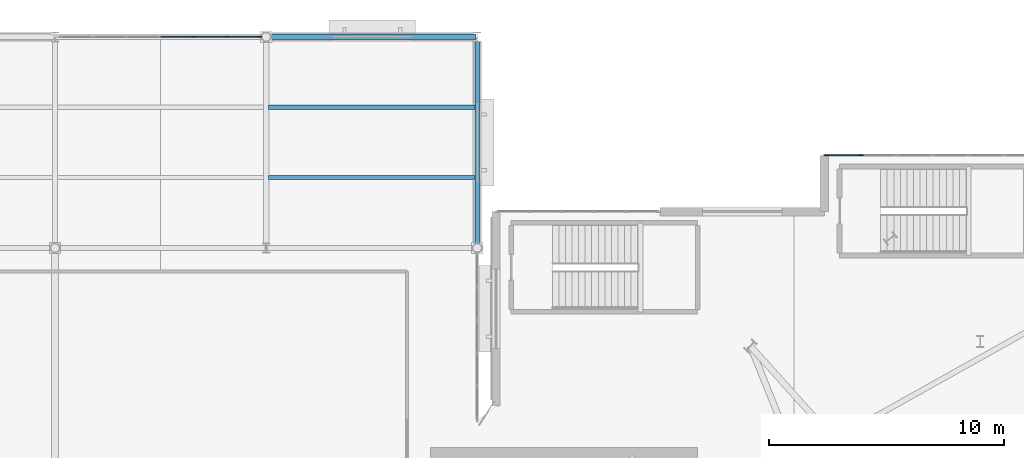
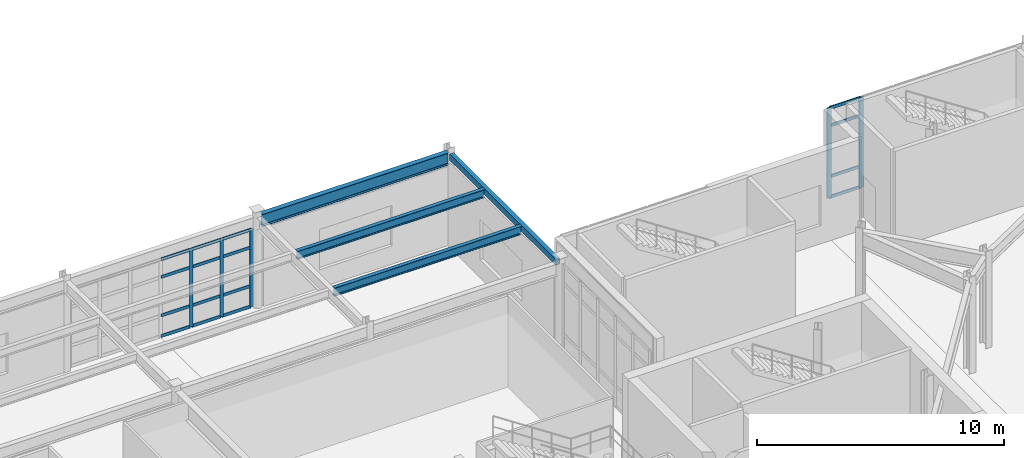
# One storey, part 42 of 84: 21 members, 4 beams, 2 elements without a shape of their own.
"""IFC4 building model written with IfcOpenShell, lengths in metres."""

from ifc_helpers import new_model, si_unit, direction, frame, origin, origin_2d, place, context, subcontext, project, spatial, rectangle, hollow_rectangle, i_section, extrude, material, material_profile, profile_set, type_object, element, aggregate, save


model = new_model("IFC4")

# Units and contexts
model_context = context("Model", 3, precision=1e-05, world=origin(), true_north=direction((0.0, 1.0)))
body_context = subcontext(model_context, "Body", "Model", "MODEL_VIEW")
ifc_project = project(units=[si_unit("LENGTHUNIT", "METRE"), si_unit("AREAUNIT", "SQUARE_METRE"), si_unit("VOLUMEUNIT", "CUBIC_METRE"), si_unit("PLANEANGLEUNIT", "RADIAN"), si_unit("MASSUNIT", "GRAM", prefix="KILO")], contexts=[model_context])

# Site, building, storey
site_placement = place(None, origin())
site = spatial("IfcSite", under=ifc_project, at=site_placement, CompositionType="ELEMENT")
building_placement = place(site_placement, origin())
building = spatial("IfcBuilding", under=site, at=building_placement, Name="Glasvene Arena", CompositionType="ELEMENT")
storey_placement = place(building_placement, frame((0.0, 0.0, 10.199951171875)))
storey = spatial("IfcBuildingStorey", under=building, at=storey_placement, Name="L02", CompositionType="ELEMENT", Elevation=10.199951171875)

# Beams
ifc_material_1 = material(Name="Steel S355J2", Category="steel")
ifc_material_profile_1 = material_profile(ifc_material_1, i_section(OverallWidth=0.228271484375, OverallDepth=0.607666015625, WebThickness=0.010986328125, FlangeThickness=0.017333984375, FilletRadius=0.0126953125, at=origin_2d()), Name="UKB 610x229x113")
ifc_profile_set_1 = profile_set([ifc_material_profile_1], Name="Steel S355J2")
beam_type_1 = type_object("IfcBeamType", Name="BM-GIRD-610", PredefinedType="BEAM", material=ifc_profile_set_1)
beam_1_placement = place(storey_placement, frame((36.1982421875, 118.0, 4.21630859375), z_axis=(1.0, 0.0, 0.0), x_axis=(0.0, 1.0, 0.0)))
element("IfcBeam", 1, at=beam_1_placement, inside=storey, type_object=beam_type_1, Name="Primary X girder L02-0828", PredefinedType="BEAM", context=body_context, shape_type="SweptSolid", body=[
    extrude(i_section(OverallWidth=0.228271484375, OverallDepth=0.607666015625, WebThickness=0.010986328125, FlangeThickness=0.017333984375, FilletRadius=0.0126953125, at=origin_2d()), origin(), (0.0, 0.0, 1.0), 8.751708984375),
])
ifc_material_profile_2 = material_profile(ifc_material_1, i_section(OverallWidth=0.177978515625, OverallDepth=0.406494140625, WebThickness=0.0078125, FlangeThickness=0.0126953125, FilletRadius=0.01025390625, at=origin_2d()), Name="UKB 406x178x60")
ifc_profile_set_2 = profile_set([ifc_material_profile_2], Name="Steel S355J2")
beam_type_2 = type_object("IfcBeamType", Name="BM-JOIST-406", PredefinedType="JOIST", material=ifc_profile_set_2)
for number, where, z_axis, x_axis, name in (
    (2, (36.110107421875, 112.0, 4.31689453125), (1.0, 0.0, 0.0), (0.0, 1.0, 0.0), "Composite floor joist L02-0929"),
    (3, (36.110107421875, 115.0, 4.31689453125), (1.0, 0.0, 0.0), (0.0, 1.0, 0.0), "Composite floor joist L02-0930"),
):
    element("IfcBeam", number, at=place(storey_placement, frame(where, z_axis=z_axis, x_axis=x_axis)), inside=storey, type_object=beam_type_2, Name=name, PredefinedType="JOIST", context=body_context, shape_type="SweptSolid", body=[
        extrude(i_section(OverallWidth=0.177978515625, OverallDepth=0.406494140625, WebThickness=0.0078125, FlangeThickness=0.0126953125, FilletRadius=0.01025390625, at=origin_2d()), origin(), (0.0, 0.0, 1.0), 8.7939453125),
    ])
ifc_material_profile_3 = material_profile(ifc_material_1, hollow_rectangle(XDim=0.199951171875, YDim=0.300048828125, WallThickness=0.012451171875, at=origin_2d()), Name="RHS 300x200x12.5")
ifc_profile_set_3 = profile_set([ifc_material_profile_3], Name="Steel S355J2")
beam_type_3 = type_object("IfcBeamType", Name="BM-SPAND-300", PredefinedType="SPANDREL", material=ifc_profile_set_3)
beam_2_placement = place(storey_placement, frame((45.0, 109.1982421875, 4.3701171875), z_axis=(0.0, 1.0, 0.0), x_axis=(-1.0, 0.0, 0.0)))
element("IfcBeam", 4, at=beam_2_placement, inside=storey, type_object=beam_type_3, Name="Primary Y girder L02-0873", PredefinedType="SPANDREL", context=body_context, shape_type="SweptSolid", body=[
    extrude(hollow_rectangle(XDim=0.199951171875, YDim=0.300048828125, WallThickness=0.012451171875, at=origin_2d()), origin(), (0.0, 0.0, 1.0), 8.606689453125),
])

# Curtain wall, members
ifc_material_2 = material(Name="Low-emissivity laminated double glazing", Category="glass")
curtain_wall_type_1 = type_object("IfcCurtainWallType", Name="CW-FAC-L01-856x385", PredefinedType="USERDEFINED", material=ifc_material_2)
curtain_wall_1_placement = place(storey_placement, frame((27.19189453125, 118.0, 0.0)))
curtain_wall_1 = element("IfcCurtainWall", 5, at=curtain_wall_1_placement, inside=storey, type_object=curtain_wall_type_1, Name="Unitised curtain wall CW-F-L02-150-315-1180-10", ObjectType="CURTAIN WALL", PredefinedType="USERDEFINED")
ifc_material_3 = material(Name="Anodised architectural aluminium", Category="aluminium")
ifc_material_profile_4 = material_profile(ifc_material_3, rectangle(XDim=0.050048828125, YDim=0.159912109375, at=origin_2d()), Name="ALU MULLION 50x160")
ifc_profile_set_4 = profile_set([ifc_material_profile_4], Name="Anodised architectural aluminium")
member_type_1 = type_object("IfcMemberType", Name="CW-MUL-150", PredefinedType="MULLION", material=ifc_profile_set_4)
member_1_placement = place(storey_placement, frame((32.900634765625, 118.0, 0.06005859375), z_axis=(0.0, 0.0, 1.0), x_axis=(0.0, 1.0, 0.0)))
member_1 = element("IfcMember", 6, at=member_1_placement, type_object=member_type_1, Name="CW-017 mullion 5", PredefinedType="MULLION", context=body_context, shape_type="SweptSolid", body=[
    extrude(rectangle(XDim=0.050048828125, YDim=0.159912109375, at=origin_2d()), origin(), (0.0, 0.0, 1.0), 3.846923828125),
])
member_2_placement = place(storey_placement, frame((34.32763671875, 118.0, 0.06005859375), z_axis=(0.0, 0.0, 1.0), x_axis=(0.0, 1.0, 0.0)))
member_2 = element("IfcMember", 7, at=member_2_placement, type_object=member_type_1, Name="CW-017 mullion 6", PredefinedType="MULLION", context=body_context, shape_type="SweptSolid", body=[
    extrude(rectangle(XDim=0.050048828125, YDim=0.159912109375, at=origin_2d()), origin(), (0.0, 0.0, 1.0), 3.846923828125),
])
member_3_placement = place(storey_placement, frame((35.729736328125, 118.0, 0.06005859375), z_axis=(0.0, 0.0, 1.0), x_axis=(0.0, 1.0, 0.0)))
member_3 = element("IfcMember", 8, at=member_3_placement, type_object=member_type_1, Name="CW-017 mullion 7", PredefinedType="MULLION", context=body_context, shape_type="SweptSolid", body=[
    extrude(rectangle(XDim=0.050048828125, YDim=0.159912109375, at=origin_2d()), origin(), (0.0, 0.0, 1.0), 3.846923828125),
])

curtain_wall_type_2 = type_object("IfcCurtainWallType", Name="CW-FAC-L02-916x446", PredefinedType="USERDEFINED", material=ifc_material_2)
curtain_wall_2_placement = place(storey_placement, frame((59.840087890625, 112.949951171875, 0.0)))
curtain_wall_2 = element("IfcCurtainWall", 9, at=curtain_wall_2_placement, inside=storey, type_object=curtain_wall_type_2, Name="Unitised curtain wall CW-F-L02-180-644-1130-19", ObjectType="CURTAIN WALL", PredefinedType="USERDEFINED")
ifc_material_profile_5 = material_profile(ifc_material_3, rectangle(XDim=0.050048828125, YDim=0.199951171875, at=origin_2d()), Name="ALU MULLION 50x200")
ifc_profile_set_5 = profile_set([ifc_material_profile_5], Name="Anodised architectural aluminium")
member_type_2 = type_object("IfcMemberType", Name="CW-MUL-180", PredefinedType="MULLION", material=ifc_profile_set_5)
member_4_placement = place(storey_placement, frame((59.864990234375, 112.949951171875, 0.06005859375), z_axis=(0.0, 0.0, 1.0), x_axis=(0.0, 1.0, 0.0)))
member_4 = element("IfcMember", 10, at=member_4_placement, type_object=member_type_2, Name="CW-022 mullion 1", PredefinedType="MULLION", context=body_context, shape_type="SweptSolid", body=[
    extrude(rectangle(XDim=0.050048828125, YDim=0.199951171875, at=origin_2d()), origin(), (0.0, 0.0, 1.0), 4.4599609375),
])
member_5_placement = place(storey_placement, frame((61.3662109375, 112.949951171875, 0.06005859375), z_axis=(0.0, 0.0, 1.0), x_axis=(0.0, 1.0, 0.0)))
member_5 = element("IfcMember", 11, at=member_5_placement, type_object=member_type_2, Name="CW-022 mullion 2", PredefinedType="MULLION", context=body_context, shape_type="SweptSolid", body=[
    extrude(rectangle(XDim=0.050048828125, YDim=0.199951171875, at=origin_2d()), origin(), (0.0, 0.0, 1.0), 4.4599609375),
])

# Member
ifc_material_profile_6 = material_profile(ifc_material_3, rectangle(XDim=0.050048828125, YDim=0.14990234375, at=origin_2d()), Name="ALU TRANSOM 50x150")
ifc_profile_set_6 = profile_set([ifc_material_profile_6], Name="Anodised architectural aluminium")
member_type_3 = type_object("IfcMemberType", Name="CW-TRN-150", PredefinedType="USERDEFINED", material=ifc_profile_set_6)
member_6_placement = place(storey_placement, frame((31.498291015625, 118.0, 0.0849609375), z_axis=(1.0, 0.0, 0.0), x_axis=(0.0, 1.0, 0.0)))
member_6 = element("IfcMember", 12, at=member_6_placement, type_object=member_type_3, Name="CW-017 transom 4.1", ObjectType="TRANSOM", PredefinedType="USERDEFINED", context=body_context, shape_type="SweptSolid", body=[
    extrude(rectangle(XDim=0.050048828125, YDim=0.14990234375, at=origin_2d()), origin(), (0.0, 0.0, 1.0), 1.377197265625),
])

member_7_placement = place(storey_placement, frame((31.498291015625, 118.0, 1.10009765625), z_axis=(1.0, 0.0, 0.0), x_axis=(0.0, 1.0, 0.0)))
member_7 = element("IfcMember", 13, at=member_7_placement, type_object=member_type_3, Name="CW-017 transom 4.2", ObjectType="TRANSOM", PredefinedType="USERDEFINED", context=body_context, shape_type="SweptSolid", body=[
    extrude(rectangle(XDim=0.050048828125, YDim=0.14990234375, at=origin_2d()), origin(), (0.0, 0.0, 1.0), 1.377197265625),
])

member_8_placement = place(storey_placement, frame((31.498291015625, 118.0, 3.007080078125), z_axis=(1.0, 0.0, 0.0), x_axis=(0.0, 1.0, 0.0)))
member_8 = element("IfcMember", 14, at=member_8_placement, type_object=member_type_3, Name="CW-017 transom 4.3", ObjectType="TRANSOM", PredefinedType="USERDEFINED", context=body_context, shape_type="SweptSolid", body=[
    extrude(rectangle(XDim=0.050048828125, YDim=0.14990234375, at=origin_2d()), origin(), (0.0, 0.0, 1.0), 1.377197265625),
])

member_9_placement = place(storey_placement, frame((31.498291015625, 118.0, 3.882080078125), z_axis=(1.0, 0.0, 0.0), x_axis=(0.0, 1.0, 0.0)))
member_9 = element("IfcMember", 15, at=member_9_placement, type_object=member_type_3, Name="CW-017 transom 4.4", ObjectType="TRANSOM", PredefinedType="USERDEFINED", context=body_context, shape_type="SweptSolid", body=[
    extrude(rectangle(XDim=0.050048828125, YDim=0.14990234375, at=origin_2d()), origin(), (0.0, 0.0, 1.0), 1.377197265625),
])

member_10_placement = place(storey_placement, frame((32.925537109375, 118.0, 0.0849609375), z_axis=(1.0, 0.0, 0.0), x_axis=(0.0, 1.0, 0.0)))
member_10 = element("IfcMember", 16, at=member_10_placement, type_object=member_type_3, Name="CW-017 transom 5.1", ObjectType="TRANSOM", PredefinedType="USERDEFINED", context=body_context, shape_type="SweptSolid", body=[
    extrude(rectangle(XDim=0.050048828125, YDim=0.14990234375, at=origin_2d()), origin(), (0.0, 0.0, 1.0), 1.377197265625),
])

member_11_placement = place(storey_placement, frame((32.925537109375, 118.0, 1.10009765625), z_axis=(1.0, 0.0, 0.0), x_axis=(0.0, 1.0, 0.0)))
member_11 = element("IfcMember", 17, at=member_11_placement, type_object=member_type_3, Name="CW-017 transom 5.2", ObjectType="TRANSOM", PredefinedType="USERDEFINED", context=body_context, shape_type="SweptSolid", body=[
    extrude(rectangle(XDim=0.050048828125, YDim=0.14990234375, at=origin_2d()), origin(), (0.0, 0.0, 1.0), 1.377197265625),
])

member_12_placement = place(storey_placement, frame((32.925537109375, 118.0, 3.007080078125), z_axis=(1.0, 0.0, 0.0), x_axis=(0.0, 1.0, 0.0)))
member_12 = element("IfcMember", 18, at=member_12_placement, type_object=member_type_3, Name="CW-017 transom 5.3", ObjectType="TRANSOM", PredefinedType="USERDEFINED", context=body_context, shape_type="SweptSolid", body=[
    extrude(rectangle(XDim=0.050048828125, YDim=0.14990234375, at=origin_2d()), origin(), (0.0, 0.0, 1.0), 1.377197265625),
])

member_13_placement = place(storey_placement, frame((32.925537109375, 118.0, 3.882080078125), z_axis=(1.0, 0.0, 0.0), x_axis=(0.0, 1.0, 0.0)))
member_13 = element("IfcMember", 19, at=member_13_placement, type_object=member_type_3, Name="CW-017 transom 5.4", ObjectType="TRANSOM", PredefinedType="USERDEFINED", context=body_context, shape_type="SweptSolid", body=[
    extrude(rectangle(XDim=0.050048828125, YDim=0.14990234375, at=origin_2d()), origin(), (0.0, 0.0, 1.0), 1.377197265625),
])

member_14_placement = place(storey_placement, frame((34.352783203125, 118.0, 0.0849609375), z_axis=(1.0, 0.0, 0.0), x_axis=(0.0, 1.0, 0.0)))
member_14 = element("IfcMember", 20, at=member_14_placement, type_object=member_type_3, Name="CW-017 transom 6.1", ObjectType="TRANSOM", PredefinedType="USERDEFINED", context=body_context, shape_type="SweptSolid", body=[
    extrude(rectangle(XDim=0.050048828125, YDim=0.14990234375, at=origin_2d()), origin(), (0.0, 0.0, 1.0), 1.35205078125),
])

member_15_placement = place(storey_placement, frame((34.352783203125, 118.0, 1.10009765625), z_axis=(1.0, 0.0, 0.0), x_axis=(0.0, 1.0, 0.0)))
member_15 = element("IfcMember", 21, at=member_15_placement, type_object=member_type_3, Name="CW-017 transom 6.2", ObjectType="TRANSOM", PredefinedType="USERDEFINED", context=body_context, shape_type="SweptSolid", body=[
    extrude(rectangle(XDim=0.050048828125, YDim=0.14990234375, at=origin_2d()), origin(), (0.0, 0.0, 1.0), 1.35205078125),
])

member_16_placement = place(storey_placement, frame((34.352783203125, 118.0, 3.007080078125), z_axis=(1.0, 0.0, 0.0), x_axis=(0.0, 1.0, 0.0)))
member_16 = element("IfcMember", 22, at=member_16_placement, type_object=member_type_3, Name="CW-017 transom 6.3", ObjectType="TRANSOM", PredefinedType="USERDEFINED", context=body_context, shape_type="SweptSolid", body=[
    extrude(rectangle(XDim=0.050048828125, YDim=0.14990234375, at=origin_2d()), origin(), (0.0, 0.0, 1.0), 1.35205078125),
])

member_17_placement = place(storey_placement, frame((34.352783203125, 118.0, 3.882080078125), z_axis=(1.0, 0.0, 0.0), x_axis=(0.0, 1.0, 0.0)))
member_17 = element("IfcMember", 23, at=member_17_placement, type_object=member_type_3, Name="CW-017 transom 6.4", ObjectType="TRANSOM", PredefinedType="USERDEFINED", context=body_context, shape_type="SweptSolid", body=[
    extrude(rectangle(XDim=0.050048828125, YDim=0.14990234375, at=origin_2d()), origin(), (0.0, 0.0, 1.0), 1.35205078125),
])

aggregate(curtain_wall_1, [member_1, member_2, member_3, member_6, member_7, member_8, member_9, member_10, member_11, member_12, member_13, member_14, member_15, member_16, member_17])

member_18_placement = place(storey_placement, frame((59.889892578125, 112.949951171875, 0.0849609375), z_axis=(1.0, 0.0, 0.0), x_axis=(0.0, 1.0, 0.0)))
member_18 = element("IfcMember", 24, at=member_18_placement, type_object=member_type_3, Name="CW-022 transom 1.1", ObjectType="TRANSOM", PredefinedType="USERDEFINED", context=body_context, shape_type="SweptSolid", body=[
    extrude(rectangle(XDim=0.050048828125, YDim=0.14990234375, at=origin_2d()), origin(), (0.0, 0.0, 1.0), 1.451171875),
])

member_19_placement = place(storey_placement, frame((59.889892578125, 112.949951171875, 1.10009765625), z_axis=(1.0, 0.0, 0.0), x_axis=(0.0, 1.0, 0.0)))
member_19 = element("IfcMember", 25, at=member_19_placement, type_object=member_type_3, Name="CW-022 transom 1.2", ObjectType="TRANSOM", PredefinedType="USERDEFINED", context=body_context, shape_type="SweptSolid", body=[
    extrude(rectangle(XDim=0.050048828125, YDim=0.14990234375, at=origin_2d()), origin(), (0.0, 0.0, 1.0), 1.451171875),
])

member_20_placement = place(storey_placement, frame((59.889892578125, 112.949951171875, 3.6201171875), z_axis=(1.0, 0.0, 0.0), x_axis=(0.0, 1.0, 0.0)))
member_20 = element("IfcMember", 26, at=member_20_placement, type_object=member_type_3, Name="CW-022 transom 1.3", ObjectType="TRANSOM", PredefinedType="USERDEFINED", context=body_context, shape_type="SweptSolid", body=[
    extrude(rectangle(XDim=0.050048828125, YDim=0.14990234375, at=origin_2d()), origin(), (0.0, 0.0, 1.0), 1.451171875),
])

member_21_placement = place(storey_placement, frame((59.889892578125, 112.949951171875, 4.4951171875), z_axis=(1.0, 0.0, 0.0), x_axis=(0.0, 1.0, 0.0)))
member_21 = element("IfcMember", 27, at=member_21_placement, type_object=member_type_3, Name="CW-022 transom 1.4", ObjectType="TRANSOM", PredefinedType="USERDEFINED", context=body_context, shape_type="SweptSolid", body=[
    extrude(rectangle(XDim=0.050048828125, YDim=0.14990234375, at=origin_2d()), origin(), (0.0, 0.0, 1.0), 1.451171875),
])

aggregate(curtain_wall_2, [member_4, member_5, member_18, member_19, member_20, member_21])

save(model, "model.ifc")
